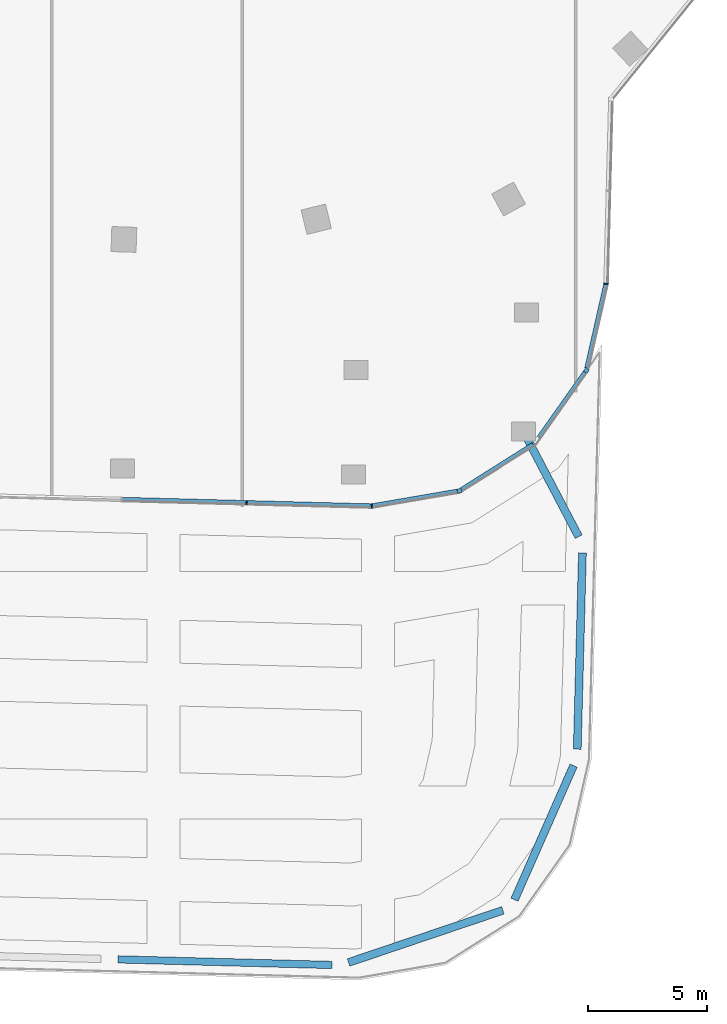
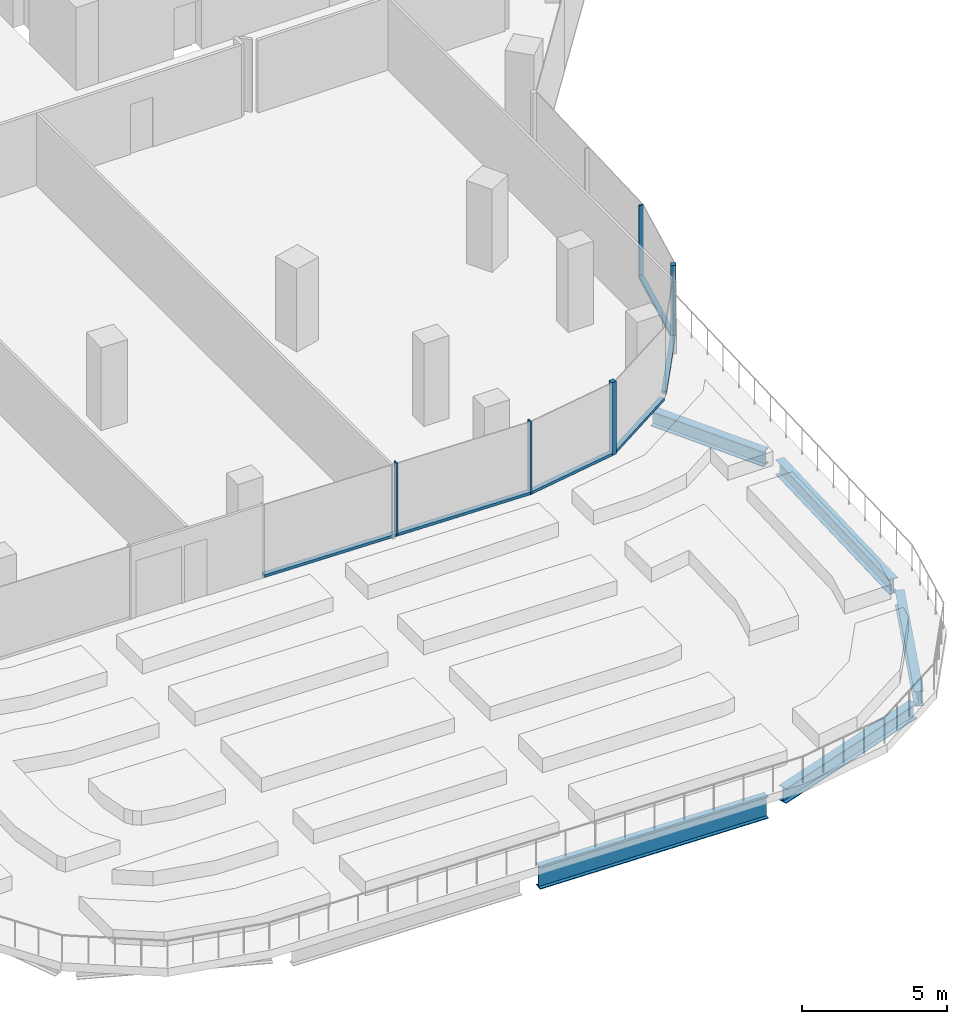
# One storey, part 3 of 25: 10 members, 5 beams, 5 elements without a shape of their own.
"""IFC4 building model written with IfcOpenShell, lengths in metres."""

from ifc_helpers import new_model, si_unit, direction, frame, origin, origin_2d, place, context, subcontext, project, spatial, rectangle, i_section, extrude, material, material_profile, profile_set, type_object, element, aggregate, save


model = new_model("IFC4")

# Units and contexts
model_context = context("Model", 3, precision=1e-05, world=origin(), true_north=direction((0.0, 1.0)))
body_context = subcontext(model_context, "Body", "Model", "MODEL_VIEW")
ifc_project = project(units=[si_unit("LENGTHUNIT", "METRE"), si_unit("AREAUNIT", "SQUARE_METRE"), si_unit("VOLUMEUNIT", "CUBIC_METRE"), si_unit("PLANEANGLEUNIT", "RADIAN"), si_unit("MASSUNIT", "GRAM", prefix="KILO")], contexts=[model_context])

# Site, building, storey
site_placement = place(None, origin())
site = spatial("IfcSite", under=ifc_project, at=site_placement, CompositionType="ELEMENT")
building_placement = place(site_placement, origin())
building = spatial("IfcBuilding", under=site, at=building_placement, Name="Orlundy Tower", CompositionType="ELEMENT")
storey_placement = place(building_placement, frame((0.0, 0.0, 217.5)))
storey = spatial("IfcBuildingStorey", under=building, at=storey_placement, Name="L57", CompositionType="ELEMENT", Elevation=217.5)

# Curtain wall, member
ifc_material_1 = material(Name="Aluminium bronze anodised", Category="aluminium")
curtain_wall_type = type_object("IfcCurtainWallType", Name="CW1 wall", PredefinedType="NOTDEFINED", material=ifc_material_1)
curtain_wall_1_placement = place(storey_placement, origin())
curtain_wall_1 = element("IfcCurtainWall", 1, at=curtain_wall_1_placement, inside=storey, type_object=curtain_wall_type, Name="CW1 run 020", PredefinedType="NOTDEFINED")
ifc_material_2 = material(Name="Aluminium bronze anodised", Category="aluminium")
ifc_material_profile_1 = material_profile(ifc_material_2, rectangle(XDim=0.179931640625, YDim=0.179931640625, at=origin_2d()), Name="CW1 corner post 180x180")
ifc_profile_set_1 = profile_set([ifc_material_profile_1], Name="Aluminium bronze anodised")
member_type_1 = type_object("IfcMemberType", Name="CW1 corner post 180x180", PredefinedType="MULLION", material=ifc_profile_set_1)
member_1_placement = place(storey_placement, frame((18.44775390625, -35.165283203125, 0.0), z_axis=(0.0, 0.0, 1.0), x_axis=(0.816548997883, -0.577276133281, 0.0)))
member_1 = element("IfcMember", 2, at=member_1_placement, type_object=member_type_1, Name="CW1 mullion 42", PredefinedType="MULLION", context=body_context, shape_type="SweptSolid", body=[
    extrude(rectangle(XDim=0.179931640625, YDim=0.179931640625, at=origin_2d()), origin(), (0.0, 0.0, 1.0), 3.080078125),
])

curtain_wall_2_placement = place(storey_placement, origin())
curtain_wall_2 = element("IfcCurtainWall", 3, at=curtain_wall_2_placement, inside=storey, type_object=curtain_wall_type, Name="CW1 run 022", PredefinedType="NOTDEFINED")
member_2_placement = place(storey_placement, frame((13.121826171875, -40.21875, 0.0), z_axis=(0.0, 0.0, 1.0), x_axis=(0.169428066085, -0.985542556373, 0.0)))
member_2 = element("IfcMember", 4, at=member_2_placement, type_object=member_type_1, Name="CW1 mullion 44", PredefinedType="MULLION", context=body_context, shape_type="SweptSolid", body=[
    extrude(rectangle(XDim=0.179931640625, YDim=0.179931640625, at=origin_2d()), origin(), (0.0, 0.0, 1.0), 3.080078125),
])

curtain_wall_3_placement = place(storey_placement, origin())
curtain_wall_3 = element("IfcCurtainWall", 5, at=curtain_wall_3_placement, inside=storey, type_object=curtain_wall_type, Name="CW1 run 019", PredefinedType="NOTDEFINED")
ifc_material_3 = material(Name="Aluminium bronze anodised", Category="aluminium")
ifc_material_profile_2 = material_profile(ifc_material_3, rectangle(XDim=0.179931640625, YDim=0.050048828125, at=origin_2d()), Name="CW1 mullion 50x180")
ifc_profile_set_2 = profile_set([ifc_material_profile_2], Name="Aluminium bronze anodised")
member_type_2 = type_object("IfcMemberType", Name="CW1 mullion 50x180", PredefinedType="MULLION", material=ifc_profile_set_2)
member_3_placement = place(storey_placement, frame((19.271728515625, -31.524169921875, 0.0), z_axis=(0.0, 0.0, 1.0), x_axis=(0.992283966435, -0.123986007099, 0.0)))
member_3 = element("IfcMember", 6, at=member_3_placement, type_object=member_type_2, Name="CW1 mullion 41", PredefinedType="MULLION", context=body_context, shape_type="SweptSolid", body=[
    extrude(rectangle(XDim=0.179931640625, YDim=0.050048828125, at=origin_2d()), origin(), (0.0, 0.0, 1.0), 3.080078125),
])

# Curtain wall, members
curtain_wall_4_placement = place(storey_placement, origin())
curtain_wall_4 = element("IfcCurtainWall", 7, at=curtain_wall_4_placement, inside=storey, type_object=curtain_wall_type, Name="CW1 run 023", PredefinedType="NOTDEFINED")
member_4_placement = place(storey_placement, frame((9.442626953125, -40.851318359375, 0.0), z_axis=(0.0, 0.0, 1.0), x_axis=(0.071965784853, -0.997407101344, 0.0)))
member_4 = element("IfcMember", 8, at=member_4_placement, type_object=member_type_2, Name="CW1 mullion 45", PredefinedType="MULLION", context=body_context, shape_type="SweptSolid", body=[
    extrude(rectangle(XDim=0.179931640625, YDim=0.050048828125, at=origin_2d()), origin(), (0.0, 0.0, 1.0), 3.080078125),
])
member_5_placement = place(storey_placement, frame((4.185302734375, -40.71337890625, 0.0), z_axis=(0.0, 0.0, 1.0), x_axis=(-0.026190222342, -0.999656977295, 0.0)))
member_5 = element("IfcMember", 9, at=member_5_placement, type_object=member_type_2, Name="CW1 mullion 46", PredefinedType="MULLION", context=body_context, shape_type="SweptSolid", body=[
    extrude(rectangle(XDim=0.179931640625, YDim=0.050048828125, at=origin_2d()), origin(), (0.0, 0.0, 1.0), 3.080078125),
])

# Member
ifc_material_4 = material(Name="Aluminium bronze anodised", Category="aluminium")
ifc_material_profile_3 = material_profile(ifc_material_4, rectangle(XDim=0.179931640625, YDim=0.1201171875, at=origin_2d()), Name="CW1 transom 180x120")
ifc_profile_set_3 = profile_set([ifc_material_profile_3], Name="Aluminium bronze anodised")
member_type_3 = type_object("IfcMemberType", Name="CW1 transom 180x120", PredefinedType="USERDEFINED", material=ifc_profile_set_3)
member_6_placement = place(storey_placement, frame((19.26611328125, -31.548828125, 0.06005859375), z_axis=(-0.220709143536, -0.975339671068, 0.0), x_axis=(0.975339671068, -0.220709143536, 0.0)))
member_6 = element("IfcMember", 10, at=member_6_placement, type_object=member_type_3, Name="CW1 transom", ObjectType="TRANSOM", PredefinedType="USERDEFINED", context=body_context, shape_type="SweptSolid", body=[
    extrude(rectangle(XDim=0.179931640625, YDim=0.1201171875, at=origin_2d()), origin(), (0.0, 0.0, 1.0), 3.610595703125),
])

aggregate(curtain_wall_3, [member_3, member_6])

member_7_placement = place(storey_placement, frame((18.395751953125, -35.23876953125, 0.06005859375), z_axis=(-0.577269314275, -0.816553818678, 0.0), x_axis=(0.816553818678, -0.577269314275, 0.0)))
member_7 = element("IfcMember", 11, at=member_7_placement, type_object=member_type_3, Name="CW1 transom", ObjectType="TRANSOM", PredefinedType="USERDEFINED", context=body_context, shape_type="SweptSolid", body=[
    extrude(rectangle(XDim=0.179931640625, YDim=0.1201171875, at=origin_2d()), origin(), (0.0, 0.0, 1.0), 3.3515625),
])

aggregate(curtain_wall_1, [member_1, member_7])

# Curtain wall, member
curtain_wall_5_placement = place(storey_placement, origin())
curtain_wall_5 = element("IfcCurtainWall", 12, at=curtain_wall_5_placement, inside=storey, type_object=curtain_wall_type, Name="CW1 run 021", PredefinedType="NOTDEFINED")
member_8_placement = place(storey_placement, frame((16.21044921875, -38.27001953125, 0.06005859375), z_axis=(-0.845725479205, -0.533618228534, 0.0), x_axis=(0.533618228534, -0.845725479205, 0.0)))
member_8 = element("IfcMember", 13, at=member_8_placement, type_object=member_type_3, Name="CW1 transom", ObjectType="TRANSOM", PredefinedType="USERDEFINED", context=body_context, shape_type="SweptSolid", body=[
    extrude(rectangle(XDim=0.179931640625, YDim=0.1201171875, at=origin_2d()), origin(), (0.0, 0.0, 1.0), 3.554443359375),
])
aggregate(curtain_wall_5, [member_8])

# Member
member_9_placement = place(storey_placement, frame((13.033203125, -40.23388671875, 0.06005859375), z_axis=(-0.985542201678, -0.16943012929, 0.0), x_axis=(0.16943012929, -0.985542201678, 0.0)))
member_9 = element("IfcMember", 14, at=member_9_placement, type_object=member_type_3, Name="CW1 transom", ObjectType="TRANSOM", PredefinedType="USERDEFINED", context=body_context, shape_type="SweptSolid", body=[
    extrude(rectangle(XDim=0.179931640625, YDim=0.1201171875, at=origin_2d()), origin(), (0.0, 0.0, 1.0), 3.6181640625),
])

aggregate(curtain_wall_2, [member_2, member_9])

member_10_placement = place(storey_placement, frame((9.41748046875, -40.8505859375, 0.06005859375), z_axis=(-0.999656965766, 0.026190662361, 0.0), x_axis=(-0.026190662361, -0.999656965766, 0.0)))
member_10 = element("IfcMember", 15, at=member_10_placement, type_object=member_type_3, Name="CW1 transom", ObjectType="TRANSOM", PredefinedType="USERDEFINED", context=body_context, shape_type="SweptSolid", body=[
    extrude(rectangle(XDim=0.179931640625, YDim=0.1201171875, at=origin_2d()), origin(), (0.0, 0.0, 1.0), 10.458984375),
])

aggregate(curtain_wall_4, [member_4, member_5, member_10])

# Beams
ifc_material_5 = material(Name="Steel ASTM A992 Gr 50", Category="steel")
ifc_material_profile_4 = material_profile(ifc_material_5, i_section(OverallWidth=0.3291015625, OverallDepth=0.635009765625, WebThickness=0.017822265625, FlangeThickness=0.031005859375, at=origin_2d()), Name="W24X162")
ifc_profile_set_4 = profile_set([ifc_material_profile_4], Name="Steel ASTM A992 Gr 50")
beam_type_1 = type_object("IfcBeamType", Name="TERRACE EDGE BEAM beam W24X162", PredefinedType="BEAM", material=ifc_profile_set_4)
beam_1_placement = place(storey_placement, frame((15.97802734375, -38.038818359375, -0.737548828125), z_axis=(0.464190166913, -0.885735563778, 0.0), x_axis=(0.885735563778, 0.464190166913, 0.0)))
element("IfcBeam", 16, at=beam_1_placement, inside=storey, type_object=beam_type_1, Name="Terrace edge beam L57-1-03", PredefinedType="BEAM", context=body_context, shape_type="SweptSolid", body=[
    extrude(i_section(OverallWidth=0.3291015625, OverallDepth=0.635009765625, WebThickness=0.017822265625, FlangeThickness=0.031005859375, at=origin_2d()), origin(), (0.0, 0.0, 1.0), 4.631591796875),
])
beam_2_placement = place(storey_placement, frame((18.28564453125, -42.81982421875, -0.737548828125), z_axis=(-0.026228055407, -0.999655985382, 0.0), x_axis=(0.999655985382, -0.026228055407, 0.0)))
element("IfcBeam", 17, at=beam_2_placement, inside=storey, type_object=beam_type_1, Name="Terrace edge beam L57-1-04", PredefinedType="BEAM", context=body_context, shape_type="SweptSolid", body=[
    extrude(i_section(OverallWidth=0.3291015625, OverallDepth=0.635009765625, WebThickness=0.017822265625, FlangeThickness=0.031005859375, at=origin_2d()), origin(), (0.0, 0.0, 1.0), 8.247314453125),
])
beam_3_placement = place(storey_placement, frame((17.914794921875, -51.75341796875, -0.737548828125), z_axis=(-0.403342229684, -0.915049204007, 0.0), x_axis=(0.915049204007, -0.403342229684, 0.0)))
element("IfcBeam", 18, at=beam_3_placement, inside=storey, type_object=beam_type_1, Name="Terrace edge beam L57-1-05", PredefinedType="BEAM", context=body_context, shape_type="SweptSolid", body=[
    extrude(i_section(OverallWidth=0.3291015625, OverallDepth=0.635009765625, WebThickness=0.017822265625, FlangeThickness=0.031005859375, at=origin_2d()), origin(), (0.0, 0.0, 1.0), 6.15283203125),
])
beam_4_placement = place(storey_placement, frame((14.947021484375, -57.828369140625, -0.737548828125), z_axis=(-0.947350182494, -0.320199362474, 0.0), x_axis=(0.320199362474, -0.947350182494, 0.0)))
element("IfcBeam", 19, at=beam_4_placement, inside=storey, type_object=beam_type_1, Name="Terrace edge beam L57-1-06", PredefinedType="BEAM", context=body_context, shape_type="SweptSolid", body=[
    extrude(i_section(OverallWidth=0.3291015625, OverallDepth=0.635009765625, WebThickness=0.017822265625, FlangeThickness=0.031005859375, at=origin_2d()), origin(), (0.0, 0.0, 1.0), 6.8369140625),
])
ifc_material_6 = material(Name="Steel ASTM A992 Gr 50", Category="steel")
ifc_material_profile_5 = material_profile(ifc_material_6, i_section(OverallWidth=0.3076171875, OverallDepth=0.9267578125, WebThickness=0.01953125, FlangeThickness=0.031982421875, at=origin_2d()), Name="W36X194")
ifc_profile_set_5 = profile_set([ifc_material_profile_5], Name="Steel ASTM A992 Gr 50")
beam_type_2 = type_object("IfcBeamType", Name="TERRACE EDGE BEAM beam W36X194", PredefinedType="BEAM", material=ifc_profile_set_5)
beam_5_placement = place(storey_placement, frame((7.76904296875, -60.12353515625, -0.88330078125), z_axis=(-0.999657222762, 0.026180851388, 0.0), x_axis=(-0.026180851388, -0.999657222762, 0.0)))
element("IfcBeam", 20, at=beam_5_placement, inside=storey, type_object=beam_type_2, Name="Terrace edge beam L57-1-07", PredefinedType="BEAM", context=body_context, shape_type="SweptSolid", body=[
    extrude(i_section(OverallWidth=0.3076171875, OverallDepth=0.9267578125, WebThickness=0.01953125, FlangeThickness=0.031982421875, at=origin_2d()), origin(), (0.0, 0.0, 1.0), 8.980224609375),
])

save(model, "model.ifc")
